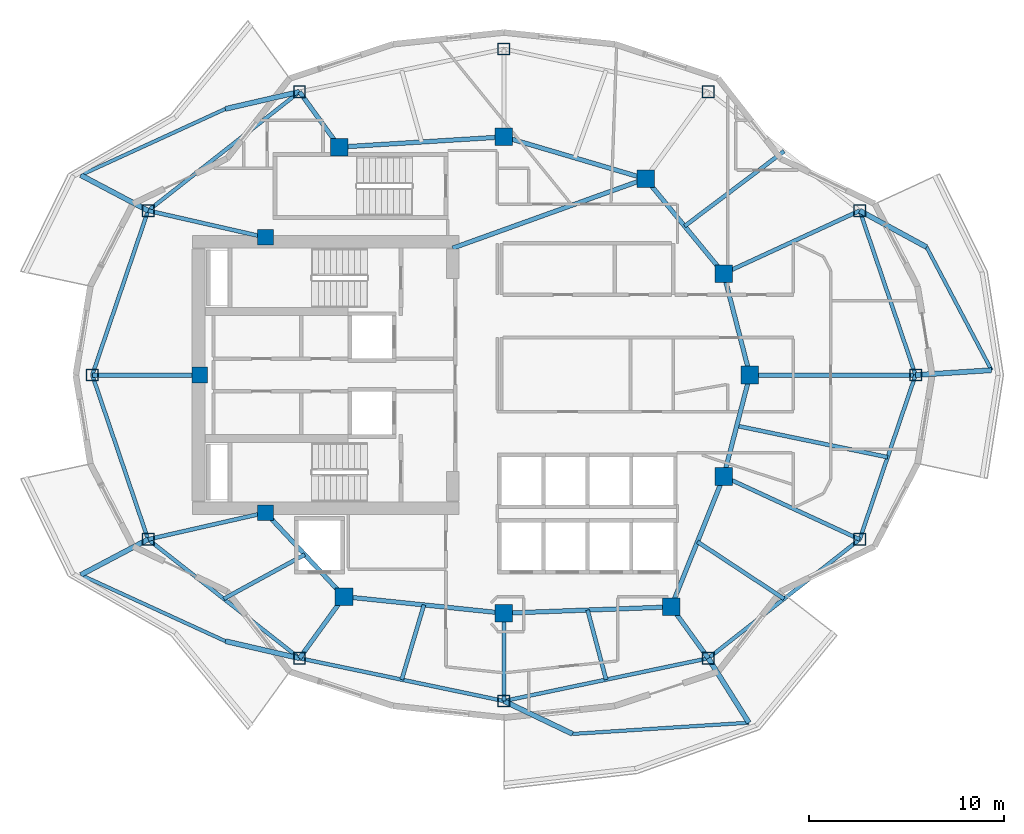
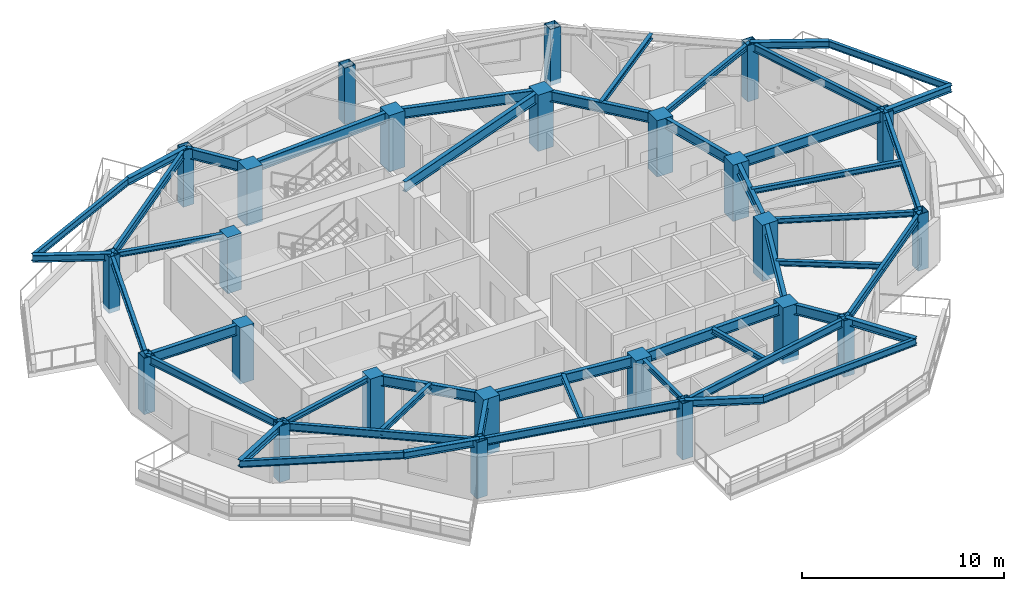
# One storey, part 1 of 12: 47 beams, 24 columns.
"""IFC4 building model written with IfcOpenShell, lengths in metres."""

from ifc_helpers import new_model, si_unit, direction, frame, origin, origin_2d, place, context, subcontext, project, spatial, rectangle, hollow_rectangle, i_section, extrude, material, material_profile, profile_set, type_object, element, save


model = new_model("IFC4")

# Units and contexts
model_context = context("Model", 3, precision=1e-05, world=origin(), true_north=direction((0.0, 1.0)))
body_context = subcontext(model_context, "Body", "Model", "MODEL_VIEW")
ifc_project = project(units=[si_unit("LENGTHUNIT", "METRE"), si_unit("AREAUNIT", "SQUARE_METRE"), si_unit("VOLUMEUNIT", "CUBIC_METRE"), si_unit("PLANEANGLEUNIT", "RADIAN"), si_unit("MASSUNIT", "GRAM", prefix="KILO")], contexts=[model_context])

# Site, building, storey
site_placement = place(None, origin())
site = spatial("IfcSite", under=ifc_project, at=site_placement, CompositionType="ELEMENT")
building_placement = place(site_placement, origin())
building = spatial("IfcBuilding", under=site, at=building_placement, Name="Kolvaren Gate Tower and Convention Centre", CompositionType="ELEMENT")
storey_placement = place(building_placement, frame((0.0, 0.0, 180.10009765625)))
storey = spatial("IfcBuildingStorey", under=building, at=storey_placement, Name="L47", CompositionType="ELEMENT", Elevation=180.10009765625)

# Columns
ifc_material_1 = material(Name="Structural steel ASTM A1085 Grade A 345 MPa", Category="steel")
ifc_material_profile_1 = material_profile(ifc_material_1, hollow_rectangle(XDim=0.610107421875, YDim=0.610107421875, WallThickness=0.025390625, at=origin_2d()), Name="HSS610X610X25.4")
ifc_profile_set_1 = profile_set([ifc_material_profile_1], Name="Structural steel ASTM A1085 Grade A 345 MPa")
column_type_1 = type_object("IfcColumnType", Name="STR-COL-HSS610", PredefinedType="COLUMN", material=ifc_profile_set_1)
for number, where, z_axis, x_axis, name in (
    (1, (51.21240234375, 27.0, -0.27001953125), (0.0, 0.0, 1.0), (1.0, 0.0, 0.0), "Tower L47 Perimeter Supercolumn TP-01"),
    (2, (48.351806640625, 35.418701171875, -0.27001953125), (0.0, 0.0, 1.0), (1.0, 0.0, 0.0), "Tower L47 Perimeter Supercolumn TP-02"),
    (3, (40.596435546875, 41.509521484375, -0.27001953125), (0.0, 0.0, 1.0), (1.0, 0.0, 0.0), "Tower L47 Perimeter Supercolumn TP-03"),
    (4, (30.125, 43.699951171875, -0.27001953125), (0.0, 0.0, 1.0), (1.0, 0.0, 0.0), "Tower L47 Perimeter Supercolumn TP-04"),
    (5, (19.65380859375, 41.509521484375, -0.27001953125), (0.0, 0.0, 1.0), (1.0, 0.0, 0.0), "Tower L47 Perimeter Supercolumn TP-05"),
    (6, (11.898193359375, 35.418701171875, -0.27001953125), (0.0, 0.0, 1.0), (1.0, 0.0, 0.0), "Tower L47 Perimeter Supercolumn TP-06"),
    (7, (9.03759765625, 27.0, -0.27001953125), (0.0, 0.0, 1.0), (1.0, 0.0, 0.0), "Tower L47 Perimeter Supercolumn TP-07"),
    (8, (11.898193359375, 18.581298828125, -0.27001953125), (0.0, 0.0, 1.0), (1.0, 0.0, 0.0), "Tower L47 Perimeter Supercolumn TP-08"),
    (9, (19.653564453125, 12.490478515625, -0.27001953125), (0.0, 0.0, 1.0), (1.0, 0.0, 0.0), "Tower L47 Perimeter Supercolumn TP-09"),
    (10, (30.125, 10.300048828125, -0.27001953125), (0.0, 0.0, 1.0), (1.0, 0.0, 0.0), "Tower L47 Perimeter Supercolumn TP-10"),
    (11, (40.596435546875, 12.490478515625, -0.27001953125), (0.0, 0.0, 1.0), (1.0, 0.0, 0.0), "Tower L47 Perimeter Supercolumn TP-11"),
    (12, (48.351806640625, 18.581298828125, -0.27001953125), (0.0, 0.0, 1.0), (1.0, 0.0, 0.0), "Tower L47 Perimeter Supercolumn TP-12"),
):
    element("IfcColumn", number, at=place(storey_placement, frame(where, z_axis=z_axis, x_axis=x_axis)), inside=storey, type_object=column_type_1, Name=name, PredefinedType="COLUMN", context=body_context, shape_type="SweptSolid", body=[
        extrude(hollow_rectangle(XDim=0.610107421875, YDim=0.610107421875, WallThickness=0.025390625, at=origin_2d()), origin(), (0.0, 0.0, 1.0), 3.39990234375),
    ])
ifc_material_2 = material(Name="Concrete C60/75", Category="concrete")
ifc_material_profile_2 = material_profile(ifc_material_2, rectangle(XDim=0.89990234375, YDim=0.89990234375, at=origin_2d()), Name="RC-COL-900X900")
ifc_profile_set_2 = profile_set([ifc_material_profile_2], Name="Concrete C60/75")
column_type_2 = type_object("IfcColumnType", Name="STR-COL-RC900", PredefinedType="COLUMN", material=ifc_profile_set_2)
for number, where, z_axis, x_axis, name in (
    (13, (42.72509765625, 27.0, -0.27001953125), (0.0, 0.0, 1.0), (1.0, 0.0, 0.0), "Tower L47 Interior Column TI-01"),
    (14, (41.382080078125, 32.199462890625, -0.27001953125), (0.0, 0.0, 1.0), (1.0, 0.0, 0.0), "Tower L47 Interior Column TI-02"),
    (15, (37.381591796875, 37.054931640625, -0.27001953125), (0.0, 0.0, 1.0), (1.0, 0.0, 0.0), "Tower L47 Interior Column TI-03"),
    (16, (30.125, 39.199951171875, -0.27001953125), (0.0, 0.0, 1.0), (1.0, 0.0, 0.0), "Tower L47 Interior Column TI-04"),
    (17, (21.697998046875, 38.6767578125, -0.27001953125), (0.0, 0.0, 1.0), (1.0, 0.0, 0.0), "Tower L47 Interior Column TI-05"),
    (18, (21.93212890625, 15.647705078125, -0.27001953125), (0.0, 0.0, 1.0), (1.0, 0.0, 0.0), "Tower L47 Interior Column TI-06"),
    (19, (30.125, 14.800048828125, -0.27001953125), (0.0, 0.0, 1.0), (1.0, 0.0, 0.0), "Tower L47 Interior Column TI-07"),
    (20, (38.6982421875, 15.12060546875, -0.27001953125), (0.0, 0.0, 1.0), (1.0, 0.0, 0.0), "Tower L47 Interior Column TI-08"),
    (21, (41.382080078125, 21.800537109375, -0.27001953125), (0.0, 0.0, 1.0), (1.0, 0.0, 0.0), "Tower L47 Interior Column TI-09"),
):
    element("IfcColumn", number, at=place(storey_placement, frame(where, z_axis=z_axis, x_axis=x_axis)), inside=storey, type_object=column_type_2, Name=name, PredefinedType="COLUMN", context=body_context, shape_type="SweptSolid", body=[
        extrude(rectangle(XDim=0.89990234375, YDim=0.89990234375, at=origin_2d()), origin(), (0.0, 0.0, 1.0), 3.39990234375),
    ])
ifc_material_profile_3 = material_profile(ifc_material_2, rectangle(XDim=0.800048828125, YDim=0.800048828125, at=origin_2d()), Name="RC-COL-800X800")
ifc_profile_set_3 = profile_set([ifc_material_profile_3], Name="Concrete C60/75")
column_type_3 = type_object("IfcColumnType", Name="STR-PIL-RC800", PredefinedType="PILASTER", material=ifc_profile_set_3)
for number, where, z_axis, x_axis, name in (
    (22, (17.9140625, 34.050048828125, -0.27001953125), (0.0, 0.0, 1.0), (1.0, 0.0, 0.0), "Tower L47 Core Boundary Pilaster TC-05"),
    (23, (14.550048828125, 27.0, -0.27001953125), (0.0, 0.0, 1.0), (1.0, 0.0, 0.0), "Tower L47 Core Boundary Pilaster TC-06"),
    (24, (17.9140625, 19.949951171875, -0.27001953125), (0.0, 0.0, 1.0), (1.0, 0.0, 0.0), "Tower L47 Core Boundary Pilaster TC-07"),
):
    element("IfcColumn", number, at=place(storey_placement, frame(where, z_axis=z_axis, x_axis=x_axis)), inside=storey, type_object=column_type_3, Name=name, PredefinedType="PILASTER", context=body_context, shape_type="SweptSolid", body=[
        extrude(rectangle(XDim=0.800048828125, YDim=0.800048828125, at=origin_2d()), origin(), (0.0, 0.0, 1.0), 3.39990234375),
    ])

# Beams
ifc_material_3 = material(Name="Structural steel ASTM A992 Grade 345 MPa", Category="steel")
ifc_material_profile_4 = material_profile(ifc_material_3, i_section(OverallWidth=0.260009765625, OverallDepth=0.419921875, WebThickness=0.013427734375, FlangeThickness=0.0224609375, at=origin_2d()), Name="W410X132")
ifc_profile_set_4 = profile_set([ifc_material_profile_4], Name="Structural steel ASTM A992 Grade 345 MPa")
beam_type_1 = type_object("IfcBeamType", Name="STR-BM-W410X132", PredefinedType="BEAM", material=ifc_profile_set_4)
beam_1_placement = place(storey_placement, frame((19.65380859375, 41.509521484375, 2.92041015625), z_axis=(-0.974393305681, -0.224850363228, 0.0), x_axis=(0.224850363228, -0.974393305681, 0.0)))
element("IfcBeam", 25, at=beam_1_placement, inside=storey, type_object=beam_type_1, Name="Tower L48 Planted Balcony Outrigger Cantilever BC-1A", PredefinedType="BEAM", context=body_context, shape_type="SweptSolid", body=[
    extrude(i_section(OverallWidth=0.260009765625, OverallDepth=0.419921875, WebThickness=0.013427734375, FlangeThickness=0.0224609375, at=origin_2d()), origin(), (0.0, 0.0, 1.0), 3.900146484375),
])
for number, where, z_axis, x_axis, name in (
    (26, (11.898193359375, 35.418701171875, 2.92041015625), (-0.884317267836, 0.466886463508, 0.0), (-0.466886463508, -0.884317267836, 0.0), "Tower L48 Planted Balcony Outrigger Cantilever BC-1B"),
    (27, (11.898193359375, 18.581298828125, 2.92041015625), (-0.884317267836, -0.466886463508, 0.0), (0.466886463508, -0.884317267836, 0.0), "Tower L48 Planted Balcony Outrigger Cantilever BC-2A"),
    (28, (19.653564453125, 12.490478515625, 2.92041015625), (-0.974390140605, 0.224864078706, 0.0), (-0.224864078706, -0.974390140605, 0.0), "Tower L48 Planted Balcony Outrigger Cantilever BC-2B"),
):
    element("IfcBeam", number, at=place(storey_placement, frame(where, z_axis=z_axis, x_axis=x_axis)), inside=storey, type_object=beam_type_1, Name=name, PredefinedType="BEAM", context=body_context, shape_type="SweptSolid", body=[
        extrude(i_section(OverallWidth=0.260009765625, OverallDepth=0.419921875, WebThickness=0.013427734375, FlangeThickness=0.0224609375, at=origin_2d()), origin(), (0.0, 0.0, 1.0), 3.89990234375),
    ])
beam_2_placement = place(storey_placement, frame((30.125, 10.300048828125, 2.92041015625), z_axis=(0.901728089649, -0.432303657558, 0.0), x_axis=(0.432303657558, 0.901728089649, 0.0)))
element("IfcBeam", 29, at=beam_2_placement, inside=storey, type_object=beam_type_1, Name="Tower L48 Planted Balcony Outrigger Cantilever BC-3A", PredefinedType="BEAM", context=body_context, shape_type="SweptSolid", body=[
    extrude(i_section(OverallWidth=0.260009765625, OverallDepth=0.419921875, WebThickness=0.013427734375, FlangeThickness=0.0224609375, at=origin_2d()), origin(), (0.0, 0.0, 1.0), 3.900146484375),
])
beam_3_placement = place(storey_placement, frame((40.596435546875, 12.490478515625, 2.92041015625), z_axis=(0.532635592703, -0.846344684739, 0.0), x_axis=(0.846344684739, 0.532635592703, 0.0)))
element("IfcBeam", 30, at=beam_3_placement, inside=storey, type_object=beam_type_1, Name="Tower L48 Planted Balcony Outrigger Cantilever BC-3B", PredefinedType="BEAM", context=body_context, shape_type="SweptSolid", body=[
    extrude(i_section(OverallWidth=0.260009765625, OverallDepth=0.419921875, WebThickness=0.013427734375, FlangeThickness=0.0224609375, at=origin_2d()), origin(), (0.0, 0.0, 1.0), 3.899658203125),
])
for number, where, z_axis, x_axis, name in (
    (31, (51.21240234375, 27.0, 2.92041015625), (0.997967389097, 0.063726684362, 0.0), (-0.063726684362, 0.997967389097, 0.0), "Tower L48 Planted Balcony Outrigger Cantilever BC-4A"),
    (32, (48.351806640625, 35.418701171875, 2.92041015625), (0.878175335842, -0.47833887519, 0.0), (0.47833887519, 0.878175335842, 0.0), "Tower L48 Planted Balcony Outrigger Cantilever BC-4B"),
):
    element("IfcBeam", number, at=place(storey_placement, frame(where, z_axis=z_axis, x_axis=x_axis)), inside=storey, type_object=beam_type_1, Name=name, PredefinedType="BEAM", context=body_context, shape_type="SweptSolid", body=[
        extrude(i_section(OverallWidth=0.260009765625, OverallDepth=0.419921875, WebThickness=0.013427734375, FlangeThickness=0.0224609375, at=origin_2d()), origin(), (0.0, 0.0, 1.0), 3.89990234375),
    ])
ifc_material_profile_5 = material_profile(ifc_material_3, i_section(OverallWidth=0.22998046875, OverallDepth=0.616943359375, WebThickness=0.01318359375, FlangeThickness=0.022216796875, at=origin_2d()), Name="W610X140")
ifc_profile_set_5 = profile_set([ifc_material_profile_5], Name="Structural steel ASTM A992 Grade 345 MPa")
beam_type_2 = type_object("IfcBeamType", Name="STR-BM-W610X140", PredefinedType="BEAM", material=ifc_profile_set_5)
beam_4_placement = place(storey_placement, frame((42.72509765625, 27.0, 2.8212890625), z_axis=(-0.250091133936, -0.968222301296, 0.0), x_axis=(0.968222301296, -0.250091133936, 0.0)))
element("IfcBeam", 33, at=beam_4_placement, inside=storey, type_object=beam_type_2, Name="Tower L47 Primary Ring Girder G-01", PredefinedType="BEAM", context=body_context, shape_type="SweptSolid", body=[
    extrude(i_section(OverallWidth=0.22998046875, OverallDepth=0.616943359375, WebThickness=0.01318359375, FlangeThickness=0.022216796875, at=origin_2d()), origin(), (0.0, 0.0, 1.0), 5.3701171875),
])
beam_5_placement = place(storey_placement, frame((41.382080078125, 32.199462890625, 2.8212890625), z_axis=(-0.635884066011, 0.771784590798, 0.0), x_axis=(-0.771784590798, -0.635884066011, 0.0)))
element("IfcBeam", 34, at=beam_5_placement, inside=storey, type_object=beam_type_2, Name="Tower L47 Primary Ring Girder G-02", PredefinedType="BEAM", context=body_context, shape_type="SweptSolid", body=[
    extrude(i_section(OverallWidth=0.22998046875, OverallDepth=0.616943359375, WebThickness=0.01318359375, FlangeThickness=0.022216796875, at=origin_2d()), origin(), (0.0, 0.0, 1.0), 6.291259765625),
])
beam_6_placement = place(storey_placement, frame((37.381591796875, 37.054931640625, 2.8212890625), z_axis=(-0.958980837827, 0.283470902706, 0.0), x_axis=(-0.283470902706, -0.958980837827, 0.0)))
element("IfcBeam", 35, at=beam_6_placement, inside=storey, type_object=beam_type_2, Name="Tower L47 Primary Ring Girder G-03", PredefinedType="BEAM", context=body_context, shape_type="SweptSolid", body=[
    extrude(i_section(OverallWidth=0.22998046875, OverallDepth=0.616943359375, WebThickness=0.01318359375, FlangeThickness=0.022216796875, at=origin_2d()), origin(), (0.0, 0.0, 1.0), 7.56689453125),
])
beam_7_placement = place(storey_placement, frame((30.125, 39.199951171875, 2.8212890625), z_axis=(-0.998078258568, -0.06196603726, 0.0), x_axis=(0.06196603726, -0.998078258568, 0.0)))
element("IfcBeam", 36, at=beam_7_placement, inside=storey, type_object=beam_type_2, Name="Tower L47 Primary Ring Girder G-04", PredefinedType="BEAM", context=body_context, shape_type="SweptSolid", body=[
    extrude(i_section(OverallWidth=0.22998046875, OverallDepth=0.616943359375, WebThickness=0.01318359375, FlangeThickness=0.022216796875, at=origin_2d()), origin(), (0.0, 0.0, 1.0), 8.443115234375),
])
beam_8_placement = place(storey_placement, frame((17.9140625, 19.949951171875, 2.8212890625), z_axis=(0.682557592987, -0.730831808459, 0.0), x_axis=(0.730831808459, 0.682557592987, 0.0)))
element("IfcBeam", 37, at=beam_8_placement, inside=storey, type_object=beam_type_2, Name="Tower L47 Primary Ring Girder G-06", PredefinedType="BEAM", context=body_context, shape_type="SweptSolid", body=[
    extrude(i_section(OverallWidth=0.22998046875, OverallDepth=0.616943359375, WebThickness=0.01318359375, FlangeThickness=0.022216796875, at=origin_2d()), origin(), (0.0, 0.0, 1.0), 5.88671875),
])
beam_9_placement = place(storey_placement, frame((21.93212890625, 15.647705078125, 2.8212890625), z_axis=(0.994690329115, -0.102913308978, 0.0), x_axis=(0.102913308978, 0.994690329115, 0.0)))
element("IfcBeam", 38, at=beam_9_placement, inside=storey, type_object=beam_type_2, Name="Tower L47 Primary Ring Girder G-07", PredefinedType="BEAM", context=body_context, shape_type="SweptSolid", body=[
    extrude(i_section(OverallWidth=0.22998046875, OverallDepth=0.616943359375, WebThickness=0.01318359375, FlangeThickness=0.022216796875, at=origin_2d()), origin(), (0.0, 0.0, 1.0), 8.236572265625),
])
beam_10_placement = place(storey_placement, frame((30.125, 14.800048828125, 2.8212890625), z_axis=(0.999301712453, 0.037364254142, 0.0), x_axis=(-0.037364254142, 0.999301712453, 0.0)))
element("IfcBeam", 39, at=beam_10_placement, inside=storey, type_object=beam_type_2, Name="Tower L47 Primary Ring Girder G-08", PredefinedType="BEAM", context=body_context, shape_type="SweptSolid", body=[
    extrude(i_section(OverallWidth=0.22998046875, OverallDepth=0.616943359375, WebThickness=0.01318359375, FlangeThickness=0.022216796875, at=origin_2d()), origin(), (0.0, 0.0, 1.0), 8.579345703125),
])
beam_11_placement = place(storey_placement, frame((38.6982421875, 15.12060546875, 2.8212890625), z_axis=(0.372811100169, 0.927907260232, 0.0), x_axis=(-0.927907260232, 0.372811100169, 0.0)))
element("IfcBeam", 40, at=beam_11_placement, inside=storey, type_object=beam_type_2, Name="Tower L47 Primary Ring Girder G-09", PredefinedType="BEAM", context=body_context, shape_type="SweptSolid", body=[
    extrude(i_section(OverallWidth=0.22998046875, OverallDepth=0.616943359375, WebThickness=0.01318359375, FlangeThickness=0.022216796875, at=origin_2d()), origin(), (0.0, 0.0, 1.0), 7.198974609375),
])
beam_12_placement = place(storey_placement, frame((27.5, 33.5, 2.8212890625), z_axis=(0.940961479908, 0.338513653093, 0.0), x_axis=(-0.338513653093, 0.940961479908, 0.0)))
element("IfcBeam", 41, at=beam_12_placement, inside=storey, type_object=beam_type_2, Name="Tower L47 Primary Ring Girder G-10", PredefinedType="BEAM", context=body_context, shape_type="SweptSolid", body=[
    extrude(i_section(OverallWidth=0.22998046875, OverallDepth=0.616943359375, WebThickness=0.01318359375, FlangeThickness=0.022216796875, at=origin_2d()), origin(), (0.0, 0.0, 1.0), 10.501708984375),
])
beam_13_placement = place(storey_placement, frame((42.72509765625, 27.0, 2.8212890625), z_axis=(-0.250091133936, 0.968222301296, 0.0), x_axis=(-0.968222301296, -0.250091133936, 0.0)))
element("IfcBeam", 42, at=beam_13_placement, inside=storey, type_object=beam_type_2, Name="Tower L47 Primary Ring Girder G-12", PredefinedType="BEAM", context=body_context, shape_type="SweptSolid", body=[
    extrude(i_section(OverallWidth=0.22998046875, OverallDepth=0.616943359375, WebThickness=0.01318359375, FlangeThickness=0.022216796875, at=origin_2d()), origin(), (0.0, 0.0, 1.0), 5.3701171875),
])
beam_14_placement = place(storey_placement, frame((42.72509765625, 27.0, 2.8212890625), z_axis=(1.0, 0.0, 0.0), x_axis=(0.0, 1.0, 0.0)))
element("IfcBeam", 43, at=beam_14_placement, inside=storey, type_object=beam_type_2, Name="Tower L47 Radial Floor Girder RB-01", PredefinedType="BEAM", context=body_context, shape_type="SweptSolid", body=[
    extrude(i_section(OverallWidth=0.22998046875, OverallDepth=0.616943359375, WebThickness=0.01318359375, FlangeThickness=0.022216796875, at=origin_2d()), origin(), (0.0, 0.0, 1.0), 8.4873046875),
])
beam_15_placement = place(storey_placement, frame((21.697998046875, 38.6767578125, 2.8212890625), z_axis=(-0.585171547435, 0.810909526441, 0.0), x_axis=(-0.810909526441, -0.585171547435, 0.0)))
element("IfcBeam", 44, at=beam_15_placement, inside=storey, type_object=beam_type_2, Name="Tower L47 Radial Floor Girder RB-05", PredefinedType="BEAM", context=body_context, shape_type="SweptSolid", body=[
    extrude(i_section(OverallWidth=0.22998046875, OverallDepth=0.616943359375, WebThickness=0.01318359375, FlangeThickness=0.022216796875, at=origin_2d()), origin(), (0.0, 0.0, 1.0), 3.493408203125),
])
beam_16_placement = place(storey_placement, frame((14.550048828125, 27.0, 2.8212890625), z_axis=(-1.0, 0.0, 0.0), x_axis=(0.0, -1.0, 0.0)))
element("IfcBeam", 45, at=beam_16_placement, inside=storey, type_object=beam_type_2, Name="Tower L47 Radial Floor Girder RB-07", PredefinedType="BEAM", context=body_context, shape_type="SweptSolid", body=[
    extrude(i_section(OverallWidth=0.22998046875, OverallDepth=0.616943359375, WebThickness=0.01318359375, FlangeThickness=0.022216796875, at=origin_2d()), origin(), (0.0, 0.0, 1.0), 5.512451171875),
])
beam_17_placement = place(storey_placement, frame((21.93212890625, 15.647705078125, 2.8212890625), z_axis=(-0.585211215329, -0.810880899672, 0.0), x_axis=(0.810880899672, -0.585211215329, 0.0)))
element("IfcBeam", 46, at=beam_17_placement, inside=storey, type_object=beam_type_2, Name="Tower L47 Radial Floor Girder RB-09", PredefinedType="BEAM", context=body_context, shape_type="SweptSolid", body=[
    extrude(i_section(OverallWidth=0.22998046875, OverallDepth=0.616943359375, WebThickness=0.01318359375, FlangeThickness=0.022216796875, at=origin_2d()), origin(), (0.0, 0.0, 1.0), 3.8935546875),
])
beam_18_placement = place(storey_placement, frame((38.6982421875, 15.12060546875, 2.8212890625), z_axis=(0.58521845229, -0.810875676722, 0.0), x_axis=(0.810875676722, 0.58521845229, 0.0)))
element("IfcBeam", 47, at=beam_18_placement, inside=storey, type_object=beam_type_2, Name="Tower L47 Radial Floor Girder RB-11", PredefinedType="BEAM", context=body_context, shape_type="SweptSolid", body=[
    extrude(i_section(OverallWidth=0.22998046875, OverallDepth=0.616943359375, WebThickness=0.01318359375, FlangeThickness=0.022216796875, at=origin_2d()), origin(), (0.0, 0.0, 1.0), 3.24365234375),
])
ifc_material_profile_6 = material_profile(ifc_material_3, i_section(OverallWidth=0.205078125, OverallDepth=0.31005859375, WebThickness=0.009521484375, FlangeThickness=0.016357421875, at=origin_2d()), Name="W310X74")
ifc_profile_set_6 = profile_set([ifc_material_profile_6], Name="Structural steel ASTM A992 Grade 345 MPa")
beam_type_3 = type_object("IfcBeamType", Name="STR-JS-W310X74", PredefinedType="JOIST", material=ifc_profile_set_6)
beam_19_placement = place(storey_placement, frame((41.382080078125, 32.199462890625, 2.974853515625), z_axis=(0.907838349939, 0.419320319542, 0.0), x_axis=(-0.419320319542, 0.907838349939, 0.0)))
element("IfcBeam", 48, at=beam_19_placement, inside=storey, type_object=beam_type_3, Name="Tower L47 Radial Floor Girder RB-02", PredefinedType="JOIST", context=body_context, shape_type="SweptSolid", body=[
    extrude(i_section(OverallWidth=0.205078125, OverallDepth=0.31005859375, WebThickness=0.009521484375, FlangeThickness=0.016357421875, at=origin_2d()), origin(), (0.0, 0.0, 1.0), 7.67724609375),
])
for number, where, z_axis, x_axis, name in (
    (49, (17.9140625, 34.050048828125, 2.974853515625), (-0.975083464295, 0.221838314226, 0.0), (-0.221838314226, -0.975083464295, 0.0), "Tower L47 Radial Floor Girder RB-06"),
    (50, (17.9140625, 19.949951171875, 2.974853515625), (-0.975083464295, -0.221838314226, 0.0), (0.221838314226, -0.975083464295, 0.0), "Tower L47 Radial Floor Girder RB-08"),
):
    element("IfcBeam", number, at=place(storey_placement, frame(where, z_axis=z_axis, x_axis=x_axis)), inside=storey, type_object=beam_type_3, Name=name, PredefinedType="JOIST", context=body_context, shape_type="SweptSolid", body=[
        extrude(i_section(OverallWidth=0.205078125, OverallDepth=0.31005859375, WebThickness=0.009521484375, FlangeThickness=0.016357421875, at=origin_2d()), origin(), (0.0, 0.0, 1.0), 6.169677734375),
    ])
beam_20_placement = place(storey_placement, frame((30.125, 14.800048828125, 2.974853515625), z_axis=(0.0, -1.0, 0.0), x_axis=(1.0, 0.0, 0.0)))
element("IfcBeam", 51, at=beam_20_placement, inside=storey, type_object=beam_type_3, Name="Tower L47 Radial Floor Girder RB-10", PredefinedType="JOIST", context=body_context, shape_type="SweptSolid", body=[
    extrude(i_section(OverallWidth=0.205078125, OverallDepth=0.31005859375, WebThickness=0.009521484375, FlangeThickness=0.016357421875, at=origin_2d()), origin(), (0.0, 0.0, 1.0), 4.5),
])
beam_21_placement = place(storey_placement, frame((41.382080078125, 21.800537109375, 2.974853515625), z_axis=(0.907838349939, -0.419320319542, 0.0), x_axis=(0.419320319542, 0.907838349939, 0.0)))
element("IfcBeam", 52, at=beam_21_placement, inside=storey, type_object=beam_type_3, Name="Tower L47 Radial Floor Girder RB-12", PredefinedType="JOIST", context=body_context, shape_type="SweptSolid", body=[
    extrude(i_section(OverallWidth=0.205078125, OverallDepth=0.31005859375, WebThickness=0.009521484375, FlangeThickness=0.016357421875, at=origin_2d()), origin(), (0.0, 0.0, 1.0), 7.67724609375),
])
beam_22_placement = place(storey_placement, frame((39.3818359375, 34.627197265625, 2.974853515625), z_axis=(0.798665513939, 0.601775204577, 0.0), x_axis=(-0.601775204577, 0.798665513939, 0.0)))
element("IfcBeam", 53, at=beam_22_placement, inside=storey, type_object=beam_type_3, Name="Tower L47 Secondary Composite Floor Joist J-02.1", PredefinedType="JOIST", context=body_context, shape_type="SweptSolid", body=[
    extrude(i_section(OverallWidth=0.205078125, OverallDepth=0.31005859375, WebThickness=0.009521484375, FlangeThickness=0.016357421875, at=origin_2d()), origin(), (0.0, 0.0, 1.0), 6.3759765625),
])
beam_23_placement = place(storey_placement, frame((19.923095703125, 17.798828125, 2.974853515625), z_axis=(-0.877822491981, -0.478986088078, 0.0), x_axis=(0.478986088078, -0.877822491981, 0.0)))
element("IfcBeam", 54, at=beam_23_placement, inside=storey, type_object=beam_type_3, Name="Tower L47 Secondary Composite Floor Joist J-08.1", PredefinedType="JOIST", context=body_context, shape_type="SweptSolid", body=[
    extrude(i_section(OverallWidth=0.205078125, OverallDepth=0.31005859375, WebThickness=0.009521484375, FlangeThickness=0.016357421875, at=origin_2d()), origin(), (0.0, 0.0, 1.0), 4.724365234375),
])
beam_24_placement = place(storey_placement, frame((26.028564453125, 15.223876953125, 2.974853515625), z_axis=(-0.28518274301, -0.958473162425, 0.0), x_axis=(0.958473162425, -0.28518274301, 0.0)))
element("IfcBeam", 55, at=beam_24_placement, inside=storey, type_object=beam_type_3, Name="Tower L47 Secondary Composite Floor Joist J-09.1", PredefinedType="JOIST", context=body_context, shape_type="SweptSolid", body=[
    extrude(i_section(OverallWidth=0.205078125, OverallDepth=0.31005859375, WebThickness=0.009521484375, FlangeThickness=0.016357421875, at=origin_2d()), origin(), (0.0, 0.0, 1.0), 3.994384765625),
])
beam_25_placement = place(storey_placement, frame((34.41162109375, 14.960205078125, 2.974853515625), z_axis=(0.257238365181, -0.966347982602, 0.0), x_axis=(0.966347982602, 0.257238365181, 0.0)))
element("IfcBeam", 56, at=beam_25_placement, inside=storey, type_object=beam_type_3, Name="Tower L47 Secondary Composite Floor Joist J-10.1", PredefinedType="JOIST", context=body_context, shape_type="SweptSolid", body=[
    extrude(i_section(OverallWidth=0.205078125, OverallDepth=0.31005859375, WebThickness=0.009521484375, FlangeThickness=0.016357421875, at=origin_2d()), origin(), (0.0, 0.0, 1.0), 3.68896484375),
])
beam_26_placement = place(storey_placement, frame((40.040283203125, 18.46044921875, 2.974853515625), z_axis=(0.834762790112, -0.550609738602, 0.0), x_axis=(0.550609738602, 0.834762790112, 0.0)))
element("IfcBeam", 57, at=beam_26_placement, inside=storey, type_object=beam_type_3, Name="Tower L47 Secondary Composite Floor Joist J-11.1", PredefinedType="JOIST", context=body_context, shape_type="SweptSolid", body=[
    extrude(i_section(OverallWidth=0.205078125, OverallDepth=0.31005859375, WebThickness=0.009521484375, FlangeThickness=0.016357421875, at=origin_2d()), origin(), (0.0, 0.0, 1.0), 5.3115234375),
])
beam_27_placement = place(storey_placement, frame((42.0537109375, 24.400146484375, 2.974853515625), z_axis=(0.978997655145, -0.203871506641, 0.0), x_axis=(0.203871506641, 0.978997655145, 0.0)))
element("IfcBeam", 58, at=beam_27_placement, inside=storey, type_object=beam_type_3, Name="Tower L47 Secondary Composite Floor Joist J-12.1", PredefinedType="JOIST", context=body_context, shape_type="SweptSolid", body=[
    extrude(i_section(OverallWidth=0.205078125, OverallDepth=0.31005859375, WebThickness=0.009521484375, FlangeThickness=0.016357421875, at=origin_2d()), origin(), (0.0, 0.0, 1.0), 7.89404296875),
])
ifc_material_profile_7 = material_profile(ifc_material_3, i_section(OverallWidth=0.180908203125, OverallDepth=0.4169921875, WebThickness=0.010986328125, FlangeThickness=0.018310546875, at=origin_2d()), Name="W410X85")
ifc_profile_set_7 = profile_set([ifc_material_profile_7], Name="Structural steel ASTM A992 Grade 345 MPa")
beam_type_4 = type_object("IfcBeamType", Name="STR-SP-W410X85", PredefinedType="SPANDREL", material=ifc_profile_set_7)
for number, where, z_axis, x_axis, name in (
    (59, (15.853515625, 40.632568359375, 2.921875), (-0.909086110351, -0.416608262, 0.0), (0.416608262, -0.909086110351, 0.0), "Tower L48 Planted Balcony Header Tie Beam BT-1"),
    (60, (8.449462890625, 16.760498046875, 2.921875), (0.909086110351, -0.416608262, 0.0), (0.416608262, 0.909086110351, 0.0), "Tower L48 Planted Balcony Header Tie Beam BT-2"),
):
    element("IfcBeam", number, at=place(storey_placement, frame(where, z_axis=z_axis, x_axis=x_axis)), inside=storey, type_object=beam_type_4, Name=name, PredefinedType="SPANDREL", context=body_context, shape_type="SweptSolid", body=[
        extrude(i_section(OverallWidth=0.180908203125, OverallDepth=0.4169921875, WebThickness=0.010986328125, FlangeThickness=0.018310546875, at=origin_2d()), origin(), (0.0, 0.0, 1.0), 8.14453125),
    ])
beam_28_placement = place(storey_placement, frame((33.641845703125, 8.614013671875, 2.921875), z_axis=(0.997973058085, 0.063637845165, 0.0), x_axis=(-0.063637845165, 0.997973058085, 0.0)))
element("IfcBeam", 61, at=beam_28_placement, inside=storey, type_object=beam_type_4, Name="Tower L48 Planted Balcony Header Tie Beam BT-3", PredefinedType="SPANDREL", context=body_context, shape_type="SweptSolid", body=[
    extrude(i_section(OverallWidth=0.180908203125, OverallDepth=0.4169921875, WebThickness=0.010986328125, FlangeThickness=0.018310546875, at=origin_2d()), origin(), (0.0, 0.0, 1.0), 9.050048828125),
])
beam_29_placement = place(storey_placement, frame((55.1044921875, 27.24853515625, 2.921875), z_axis=(-0.466803260322, 0.884361191003, 0.0), x_axis=(-0.884361191003, -0.466803260322, 0.0)))
element("IfcBeam", 62, at=beam_29_placement, inside=storey, type_object=beam_type_4, Name="Tower L48 Planted Balcony Header Tie Beam BT-4", PredefinedType="SPANDREL", context=body_context, shape_type="SweptSolid", body=[
    extrude(i_section(OverallWidth=0.180908203125, OverallDepth=0.4169921875, WebThickness=0.010986328125, FlangeThickness=0.018310546875, at=origin_2d()), origin(), (0.0, 0.0, 1.0), 7.129150390625),
])
ifc_material_profile_8 = material_profile(ifc_material_3, i_section(OverallWidth=0.194091796875, OverallDepth=0.468994140625, WebThickness=0.0126953125, FlangeThickness=0.0205078125, at=origin_2d()), Name="W460X106")
ifc_profile_set_8 = profile_set([ifc_material_profile_8], Name="Structural steel ASTM A992 Grade 345 MPa")
beam_type_5 = type_object("IfcBeamType", Name="STR-SP-W460X106", PredefinedType="SPANDREL", material=ifc_profile_set_8)
beam_30_placement = place(storey_placement, frame((51.21240234375, 27.0, 2.8955078125), z_axis=(-0.321725023609, 0.946833147489, 0.0), x_axis=(-0.946833147489, -0.321725023609, 0.0)))
element("IfcBeam", 63, at=beam_30_placement, inside=storey, type_object=beam_type_5, Name="Tower L47 Perimeter Spandrel Beam SP-01", PredefinedType="SPANDREL", context=body_context, shape_type="SweptSolid", body=[
    extrude(i_section(OverallWidth=0.194091796875, OverallDepth=0.468994140625, WebThickness=0.0126953125, FlangeThickness=0.0205078125, at=origin_2d()), origin(), (0.0, 0.0, 1.0), 8.891357421875),
])
beam_31_placement = place(storey_placement, frame((19.65380859375, 41.509521484375, 2.8955078125), z_axis=(-0.786460066421, -0.617641128752, 0.0), x_axis=(0.617641128752, -0.786460066421, 0.0)))
element("IfcBeam", 64, at=beam_31_placement, inside=storey, type_object=beam_type_5, Name="Tower L47 Perimeter Spandrel Beam SP-05", PredefinedType="SPANDREL", context=body_context, shape_type="SweptSolid", body=[
    extrude(i_section(OverallWidth=0.194091796875, OverallDepth=0.468994140625, WebThickness=0.0126953125, FlangeThickness=0.0205078125, at=origin_2d()), origin(), (0.0, 0.0, 1.0), 9.861328125),
])
for number, where, z_axis, x_axis, name in (
    (65, (11.898193359375, 35.418701171875, 2.8955078125), (-0.321725023609, -0.946833147489, 0.0), (0.946833147489, -0.321725023609, 0.0), "Tower L47 Perimeter Spandrel Beam SP-06"),
    (66, (9.03759765625, 27.0, 2.8955078125), (0.321725023609, -0.946833147489, 0.0), (0.946833147489, 0.321725023609, 0.0), "Tower L47 Perimeter Spandrel Beam SP-07"),
):
    element("IfcBeam", number, at=place(storey_placement, frame(where, z_axis=z_axis, x_axis=x_axis)), inside=storey, type_object=beam_type_5, Name=name, PredefinedType="SPANDREL", context=body_context, shape_type="SweptSolid", body=[
        extrude(i_section(OverallWidth=0.194091796875, OverallDepth=0.468994140625, WebThickness=0.0126953125, FlangeThickness=0.0205078125, at=origin_2d()), origin(), (0.0, 0.0, 1.0), 8.891357421875),
    ])
beam_32_placement = place(storey_placement, frame((11.898193359375, 18.581298828125, 2.8955078125), z_axis=(0.786450621777, -0.617653154697, 0.0), x_axis=(0.617653154697, 0.786450621777, 0.0)))
element("IfcBeam", 67, at=beam_32_placement, inside=storey, type_object=beam_type_5, Name="Tower L47 Perimeter Spandrel Beam SP-08", PredefinedType="SPANDREL", context=body_context, shape_type="SweptSolid", body=[
    extrude(i_section(OverallWidth=0.194091796875, OverallDepth=0.468994140625, WebThickness=0.0126953125, FlangeThickness=0.0205078125, at=origin_2d()), origin(), (0.0, 0.0, 1.0), 9.861328125),
])
for number, where, z_axis, x_axis, name in (
    (68, (19.653564453125, 12.490478515625, 2.8955078125), (0.978814350133, -0.204749769168, 0.0), (0.204749769168, 0.978814350133, 0.0), "Tower L47 Perimeter Spandrel Beam SP-09"),
    (69, (30.125, 10.300048828125, 2.8955078125), (0.978814350133, 0.204749769168, 0.0), (-0.204749769168, 0.978814350133, 0.0), "Tower L47 Perimeter Spandrel Beam SP-10"),
):
    element("IfcBeam", number, at=place(storey_placement, frame(where, z_axis=z_axis, x_axis=x_axis)), inside=storey, type_object=beam_type_5, Name=name, PredefinedType="SPANDREL", context=body_context, shape_type="SweptSolid", body=[
        extrude(i_section(OverallWidth=0.194091796875, OverallDepth=0.468994140625, WebThickness=0.0126953125, FlangeThickness=0.0205078125, at=origin_2d()), origin(), (0.0, 0.0, 1.0), 10.697998046875),
    ])
beam_33_placement = place(storey_placement, frame((40.596435546875, 12.490478515625, 2.8955078125), z_axis=(0.786450621777, 0.617653154697, 0.0), x_axis=(-0.617653154697, 0.786450621777, 0.0)))
element("IfcBeam", 70, at=beam_33_placement, inside=storey, type_object=beam_type_5, Name="Tower L47 Perimeter Spandrel Beam SP-11", PredefinedType="SPANDREL", context=body_context, shape_type="SweptSolid", body=[
    extrude(i_section(OverallWidth=0.194091796875, OverallDepth=0.468994140625, WebThickness=0.0126953125, FlangeThickness=0.0205078125, at=origin_2d()), origin(), (0.0, 0.0, 1.0), 9.861328125),
])
beam_34_placement = place(storey_placement, frame((48.351806640625, 18.581298828125, 2.8955078125), z_axis=(0.321725023609, 0.946833147489, 0.0), x_axis=(-0.946833147489, 0.321725023609, 0.0)))
element("IfcBeam", 71, at=beam_34_placement, inside=storey, type_object=beam_type_5, Name="Tower L47 Perimeter Spandrel Beam SP-12", PredefinedType="SPANDREL", context=body_context, shape_type="SweptSolid", body=[
    extrude(i_section(OverallWidth=0.194091796875, OverallDepth=0.468994140625, WebThickness=0.0126953125, FlangeThickness=0.0205078125, at=origin_2d()), origin(), (0.0, 0.0, 1.0), 8.891357421875),
])

save(model, "model.ifc")
